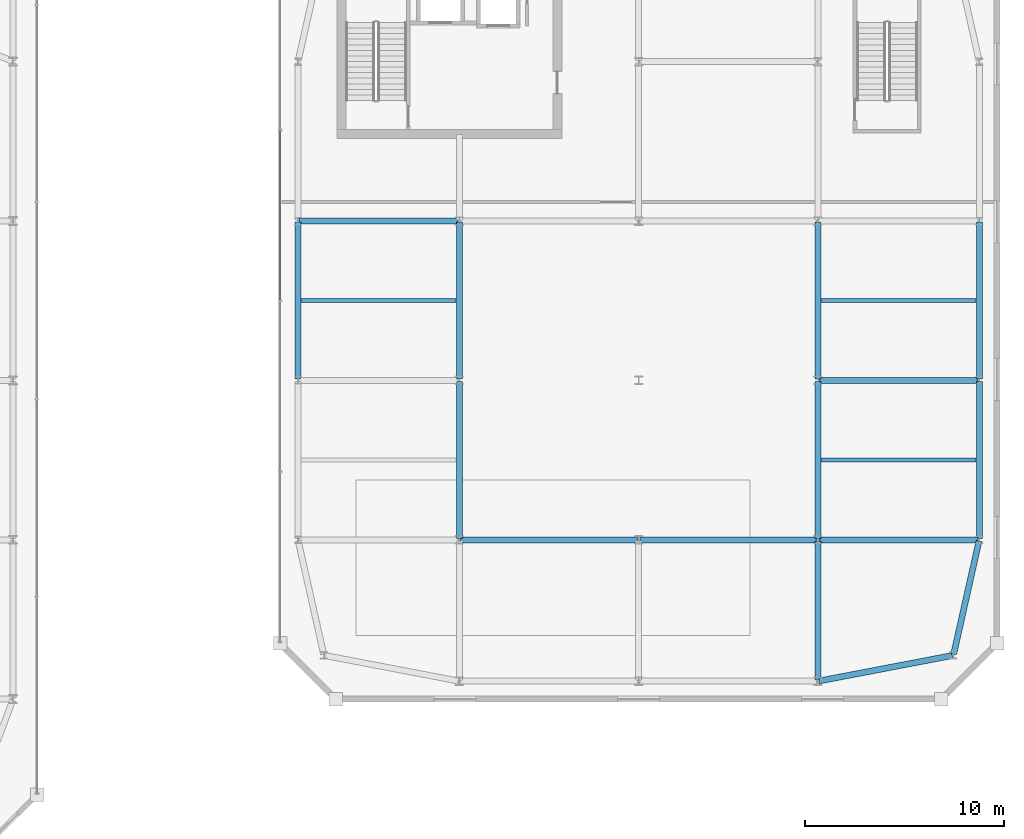
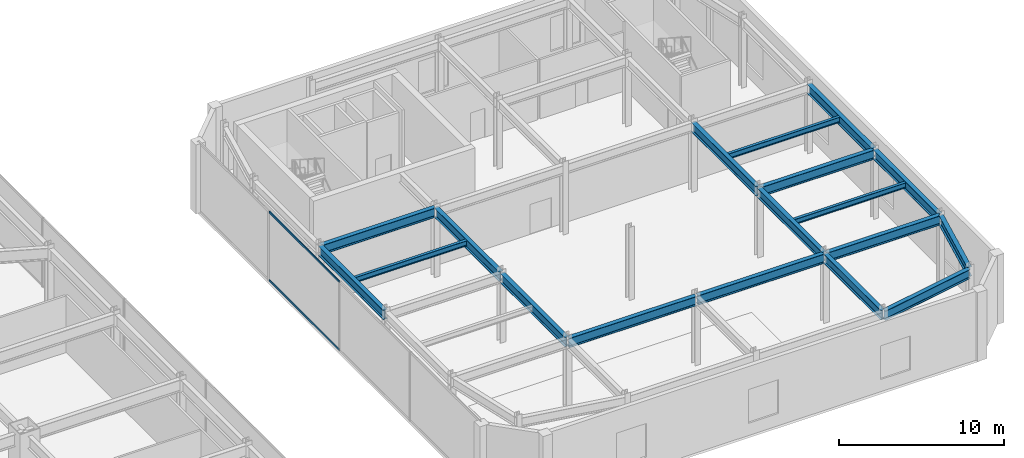
# One storey, part 35 of 51: 18 beams, 2 members, 1 element without a shape of its own.
"""IFC4 building model written with IfcOpenShell, lengths in metres."""

from ifc_helpers import new_model, si_unit, direction, frame, origin, origin_2d, place, context, subcontext, project, spatial, hollow_rectangle, i_section, extrude, material, material_profile, profile_set, type_object, element, aggregate, save


model = new_model("IFC4")

# Units and contexts
model_context = context("Model", 3, precision=1e-05, world=origin(), true_north=direction((0.0, 1.0)))
body_context = subcontext(model_context, "Body", "Model", "MODEL_VIEW")
ifc_project = project(units=[si_unit("LENGTHUNIT", "METRE"), si_unit("AREAUNIT", "SQUARE_METRE"), si_unit("VOLUMEUNIT", "CUBIC_METRE"), si_unit("PLANEANGLEUNIT", "RADIAN"), si_unit("MASSUNIT", "GRAM", prefix="KILO")], contexts=[model_context])

# Site, building, storey
site_placement = place(None, origin())
site = spatial("IfcSite", under=ifc_project, at=site_placement, CompositionType="ELEMENT")
building_placement = place(site_placement, origin())
building = spatial("IfcBuilding", under=site, at=building_placement, Name="Saevonmaru Cultural Tower", CompositionType="ELEMENT")
storey_placement = place(building_placement, frame((0.0, 0.0, 6.0)))
storey = spatial("IfcBuildingStorey", under=building, at=storey_placement, Name="L01", CompositionType="ELEMENT", Elevation=6.0)

# Beams
ifc_material_1 = material(Name="Steel SM355", Category="steel")
ifc_material_profile_1 = material_profile(ifc_material_1, i_section(OverallWidth=0.300048828125, OverallDepth=0.699951171875, WebThickness=0.012939453125, FlangeThickness=0.02392578125, FilletRadius=0.02587890625, at=origin_2d()), Name="H-700x300x13x24")
ifc_profile_set_1 = profile_set([ifc_material_profile_1], Name="Steel SM355")
beam_type_1 = type_object("IfcBeamType", Name="BM-G-H700", PredefinedType="BEAM", material=ifc_profile_set_1)
beam_1_placement = place(storey_placement, frame((99.2587890625, 8.911376953125, 4.75), z_axis=(0.982216489393, 0.187751878722, 0.0), x_axis=(-0.187751878722, 0.982216489393, 0.0)))
element("IfcBeam", 1, at=beam_1_placement, inside=storey, type_object=beam_type_1, Name="L01 Library Girder EW-1-4", PredefinedType="BEAM", context=body_context, shape_type="SweptSolid", body=[
    extrude(i_section(OverallWidth=0.300048828125, OverallDepth=0.699951171875, WebThickness=0.012939453125, FlangeThickness=0.02392578125, FilletRadius=0.02587890625, at=origin_2d()), origin(), (0.0, 0.0, 1.0), 6.803466796875),
])
for number, where, z_axis, x_axis, name in (
    (2, (81.260009765625, 16.0, 4.75), (1.0, 0.0, 0.0), (0.0, 1.0, 0.0), "L01 Library Girder EW-2-2"),
    (3, (90.260009765625, 16.0, 4.75), (1.0, 0.0, 0.0), (0.0, 1.0, 0.0), "L01 Library Girder EW-2-3"),
):
    element("IfcBeam", number, at=place(storey_placement, frame(where, z_axis=z_axis, x_axis=x_axis)), inside=storey, type_object=beam_type_1, Name=name, PredefinedType="BEAM", context=body_context, shape_type="SweptSolid", body=[
        extrude(i_section(OverallWidth=0.300048828125, OverallDepth=0.699951171875, WebThickness=0.012939453125, FlangeThickness=0.02392578125, FilletRadius=0.02587890625, at=origin_2d()), origin(), (0.0, 0.0, 1.0), 8.8798828125),
    ])
for number, where, z_axis, x_axis, name in (
    (4, (99.260009765625, 16.0, 4.75), (1.0, 0.0, 0.0), (0.0, 1.0, 0.0), "L01 Library Girder EW-2-4"),
    (5, (99.260009765625, 24.0, 4.75), (1.0, 0.0, 0.0), (0.0, 1.0, 0.0), "L01 Library Girder EW-3-4"),
    (6, (73.159912109375, 32.0, 4.75), (1.0, 0.0, 0.0), (0.0, 1.0, 0.0), "L01 Library Girder EW-4-1"),
):
    element("IfcBeam", number, at=place(storey_placement, frame(where, z_axis=z_axis, x_axis=x_axis)), inside=storey, type_object=beam_type_1, Name=name, PredefinedType="BEAM", context=body_context, shape_type="SweptSolid", body=[
        extrude(i_section(OverallWidth=0.300048828125, OverallDepth=0.699951171875, WebThickness=0.012939453125, FlangeThickness=0.02392578125, FilletRadius=0.02587890625, at=origin_2d()), origin(), (0.0, 0.0, 1.0), 7.97998046875),
    ])
for number, where, z_axis, x_axis, name in (
    (7, (73.10009765625, 24.06005859375, 4.75), (0.0, 1.0, 0.0), (-1.0, 0.0, 0.0), "L01 Library Girder NS-1-3"),
    (8, (81.199951171875, 16.06005859375, 4.75), (0.0, 1.0, 0.0), (-1.0, 0.0, 0.0), "L01 Library Girder NS-2-2"),
    (9, (81.199951171875, 24.06005859375, 4.75), (0.0, 1.0, 0.0), (-1.0, 0.0, 0.0), "L01 Library Girder NS-2-3"),
):
    element("IfcBeam", number, at=place(storey_placement, frame(where, z_axis=z_axis, x_axis=x_axis)), inside=storey, type_object=beam_type_1, Name=name, PredefinedType="BEAM", context=body_context, shape_type="SweptSolid", body=[
        extrude(i_section(OverallWidth=0.300048828125, OverallDepth=0.699951171875, WebThickness=0.012939453125, FlangeThickness=0.02392578125, FilletRadius=0.02587890625, at=origin_2d()), origin(), (0.0, 0.0, 1.0), 7.8798828125),
    ])
beam_2_placement = place(storey_placement, frame((99.199951171875, 8.9599609375, 4.75), z_axis=(0.0, 1.0, 0.0), x_axis=(-1.0, 0.0, 0.0)))
element("IfcBeam", 10, at=beam_2_placement, inside=storey, type_object=beam_type_1, Name="L01 Library Girder NS-4-1", PredefinedType="BEAM", context=body_context, shape_type="SweptSolid", body=[
    extrude(i_section(OverallWidth=0.300048828125, OverallDepth=0.699951171875, WebThickness=0.012939453125, FlangeThickness=0.02392578125, FilletRadius=0.02587890625, at=origin_2d()), origin(), (0.0, 0.0, 1.0), 6.97998046875),
])
for number, where, z_axis, x_axis, name in (
    (11, (99.199951171875, 16.06005859375, 4.75), (0.0, 1.0, 0.0), (-1.0, 0.0, 0.0), "L01 Library Girder NS-4-2"),
    (12, (99.199951171875, 24.06005859375, 4.75), (0.0, 1.0, 0.0), (-1.0, 0.0, 0.0), "L01 Library Girder NS-4-3"),
):
    element("IfcBeam", number, at=place(storey_placement, frame(where, z_axis=z_axis, x_axis=x_axis)), inside=storey, type_object=beam_type_1, Name=name, PredefinedType="BEAM", context=body_context, shape_type="SweptSolid", body=[
        extrude(i_section(OverallWidth=0.300048828125, OverallDepth=0.699951171875, WebThickness=0.012939453125, FlangeThickness=0.02392578125, FilletRadius=0.02587890625, at=origin_2d()), origin(), (0.0, 0.0, 1.0), 7.8798828125),
    ])
beam_3_placement = place(storey_placement, frame((106.01318359375, 10.258544921875, 4.75), z_axis=(0.218701133908, 0.975791890737, 0.0), x_axis=(-0.975791890737, 0.218701133908, 0.0)))
element("IfcBeam", 13, at=beam_3_placement, inside=storey, type_object=beam_type_1, Name="L01 Library Girder NS-5-1", PredefinedType="BEAM", context=body_context, shape_type="SweptSolid", body=[
    extrude(i_section(OverallWidth=0.300048828125, OverallDepth=0.699951171875, WebThickness=0.012939453125, FlangeThickness=0.02392578125, FilletRadius=0.02587890625, at=origin_2d()), origin(), (0.0, 0.0, 1.0), 5.82373046875),
])
for number, where, z_axis, x_axis, name in (
    (14, (107.300048828125, 16.06005859375, 4.75), (0.0, 1.0, 0.0), (-1.0, 0.0, 0.0), "L01 Library Girder NS-5-2"),
    (15, (107.300048828125, 24.06005859375, 4.75), (0.0, 1.0, 0.0), (-1.0, 0.0, 0.0), "L01 Library Girder NS-5-3"),
):
    element("IfcBeam", number, at=place(storey_placement, frame(where, z_axis=z_axis, x_axis=x_axis)), inside=storey, type_object=beam_type_1, Name=name, PredefinedType="BEAM", context=body_context, shape_type="SweptSolid", body=[
        extrude(i_section(OverallWidth=0.300048828125, OverallDepth=0.699951171875, WebThickness=0.012939453125, FlangeThickness=0.02392578125, FilletRadius=0.02587890625, at=origin_2d()), origin(), (0.0, 0.0, 1.0), 7.8798828125),
    ])
ifc_material_profile_2 = material_profile(ifc_material_1, i_section(OverallWidth=0.199951171875, OverallDepth=0.39990234375, WebThickness=0.008056640625, FlangeThickness=0.012939453125, FilletRadius=0.01611328125, at=origin_2d()), Name="H-400x200x8x13")
ifc_profile_set_2 = profile_set([ifc_material_profile_2], Name="Steel SM355")
beam_type_2 = type_object("IfcBeamType", Name="BM-J-H400", PredefinedType="JOIST", material=ifc_profile_set_2)
beam_4_placement = place(storey_placement, frame((99.35791015625, 20.0, 4.89990234375), z_axis=(1.0, 0.0, 0.0), x_axis=(0.0, 1.0, 0.0)))
element("IfcBeam", 16, at=beam_4_placement, inside=storey, type_object=beam_type_2, Name="L01 Library Joist J-2-4", PredefinedType="JOIST", context=body_context, shape_type="SweptSolid", body=[
    extrude(i_section(OverallWidth=0.199951171875, OverallDepth=0.39990234375, WebThickness=0.008056640625, FlangeThickness=0.012939453125, FilletRadius=0.01611328125, at=origin_2d()), origin(), (0.0, 0.0, 1.0), 7.7841796875),
])
beam_5_placement = place(storey_placement, frame((73.258056640625, 28.0, 4.89990234375), z_axis=(1.0, 0.0, 0.0), x_axis=(0.0, 1.0, 0.0)))
element("IfcBeam", 17, at=beam_5_placement, inside=storey, type_object=beam_type_2, Name="L01 Library Joist J-3-1", PredefinedType="JOIST", context=body_context, shape_type="SweptSolid", body=[
    extrude(i_section(OverallWidth=0.199951171875, OverallDepth=0.39990234375, WebThickness=0.008056640625, FlangeThickness=0.012939453125, FilletRadius=0.01611328125, at=origin_2d()), origin(), (0.0, 0.0, 1.0), 7.783935546875),
])
beam_6_placement = place(storey_placement, frame((99.35791015625, 28.0, 4.89990234375), z_axis=(1.0, 0.0, 0.0), x_axis=(0.0, 1.0, 0.0)))
element("IfcBeam", 18, at=beam_6_placement, inside=storey, type_object=beam_type_2, Name="L01 Library Joist J-3-4", PredefinedType="JOIST", context=body_context, shape_type="SweptSolid", body=[
    extrude(i_section(OverallWidth=0.199951171875, OverallDepth=0.39990234375, WebThickness=0.008056640625, FlangeThickness=0.012939453125, FilletRadius=0.01611328125, at=origin_2d()), origin(), (0.0, 0.0, 1.0), 7.7841796875),
])

# Curtain wall, members
ifc_material_2 = material(Name="Satin Bronze Anodised Aluminium", Category="aluminium")
curtain_wall_type = type_object("IfcCurtainWallType", Name="CW-LIB-GLZ", PredefinedType="NOTDEFINED", material=ifc_material_2)
curtain_wall_placement = place(storey_placement, origin())
curtain_wall = element("IfcCurtainWall", 19, at=curtain_wall_placement, inside=storey, type_object=curtain_wall_type, Name="L01 Central Library Reading Hall Curtain Wall 8", PredefinedType="NOTDEFINED")
ifc_material_profile_3 = material_profile(ifc_material_2, hollow_rectangle(XDim=0.06494140625, YDim=0.14990234375, WallThickness=0.00390625, at=origin_2d()), Name="ALU-TRAN-150x65x4")
ifc_profile_set_3 = profile_set([ifc_material_profile_3], Name="Satin Bronze Anodised Aluminium")
member_type = type_object("IfcMemberType", Name="TR-CW-150x65", PredefinedType="USERDEFINED", material=ifc_profile_set_3)
member_1_placement = place(storey_placement, frame((72.199951171875, 36.53759765625, 0.032470703125), z_axis=(0.0, -1.0, 0.0), x_axis=(1.0, 0.0, 0.0)))
member_1 = element("IfcMember", 20, at=member_1_placement, type_object=member_type, Name="CW-LIB-8-L01 transom 2.1", ObjectType="TRANSOM", PredefinedType="USERDEFINED", context=body_context, shape_type="SweptSolid", body=[
    extrude(hollow_rectangle(XDim=0.06494140625, YDim=0.14990234375, WallThickness=0.00390625, at=origin_2d()), origin(), (0.0, 0.0, 1.0), 8.505126953125),
])
member_2_placement = place(storey_placement, frame((72.199951171875, 36.53759765625, 5.0673828125), z_axis=(0.0, -1.0, 0.0), x_axis=(1.0, 0.0, 0.0)))
member_2 = element("IfcMember", 21, at=member_2_placement, type_object=member_type, Name="CW-LIB-8-L01 transom 2.2", ObjectType="TRANSOM", PredefinedType="USERDEFINED", context=body_context, shape_type="SweptSolid", body=[
    extrude(hollow_rectangle(XDim=0.06494140625, YDim=0.14990234375, WallThickness=0.00390625, at=origin_2d()), origin(), (0.0, 0.0, 1.0), 8.505126953125),
])
aggregate(curtain_wall, [member_1, member_2])

save(model, "model.ifc")
